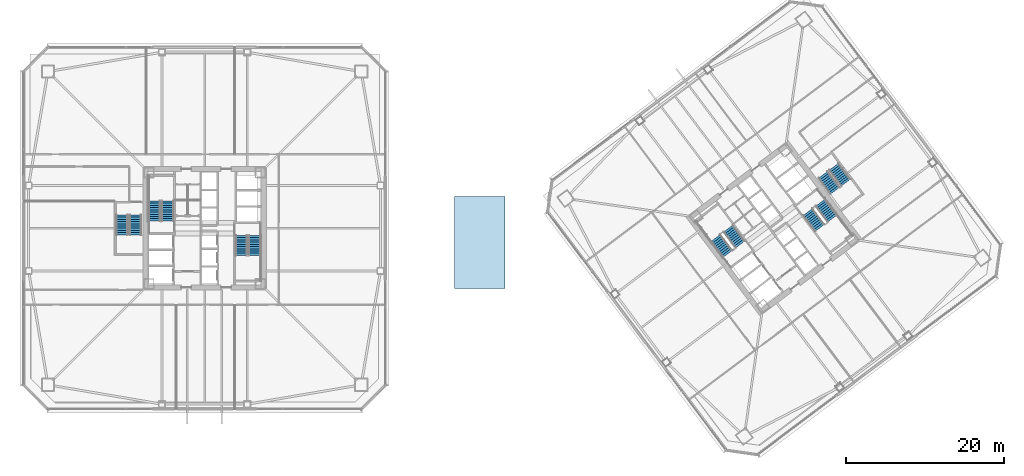
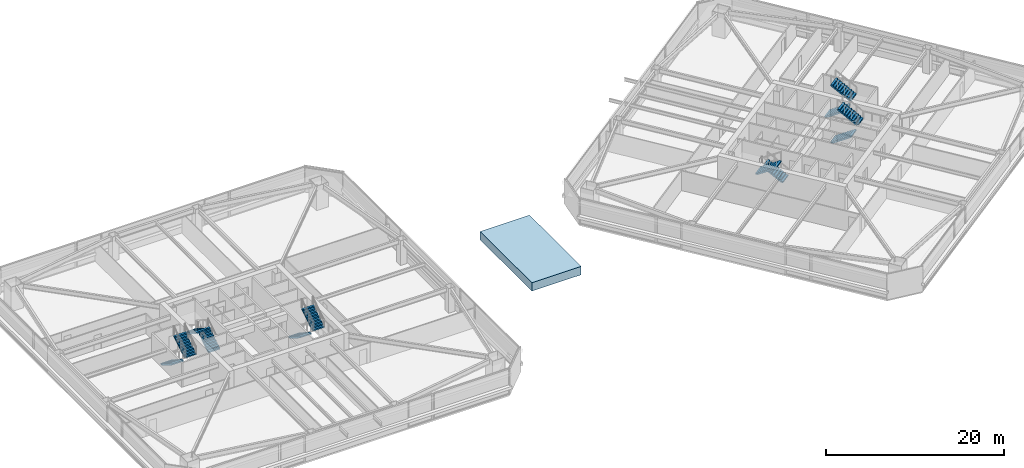
# One storey, part 38 of 46: 12 stair flights, 1 roof, 6 elements without a shape of their own.
"""IFC4 building model written with IfcOpenShell, lengths in metres."""

from ifc_helpers import new_model, si_unit, direction, frame, origin, place, context, subcontext, project, spatial, polyline, outline, extrude, material, layer, layer_set, type_object, element, aggregate, save


model = new_model("IFC4")

# Units and contexts
model_context = context("Model", 3, precision=1e-05, world=origin(), true_north=direction((0.0, 1.0)))
body_context = subcontext(model_context, "Body", "Model", "MODEL_VIEW")
ifc_project = project(units=[si_unit("LENGTHUNIT", "METRE"), si_unit("AREAUNIT", "SQUARE_METRE"), si_unit("VOLUMEUNIT", "CUBIC_METRE"), si_unit("PLANEANGLEUNIT", "RADIAN"), si_unit("MASSUNIT", "GRAM", prefix="KILO")], contexts=[model_context])

# Site, building, storey
site_placement = place(None, origin())
site = spatial("IfcSite", under=ifc_project, at=site_placement, CompositionType="ELEMENT")
building_placement = place(site_placement, origin())
building = spatial("IfcBuilding", under=site, at=building_placement, Name="Tashvorn Skyway Center", CompositionType="ELEMENT")
storey_placement = place(building_placement, frame((0.0, 0.0, 31.699951171875)))
storey = spatial("IfcBuildingStorey", under=building, at=storey_placement, Name="L07", CompositionType="ELEMENT", Elevation=31.699951171875)

# Stair, stair flights
ifc_material_1 = material(Name="Concrete C40/50", Category="concrete")
stair_type = type_object("IfcStairType", Name="STAIR-CORE-1500", PredefinedType="HALF_TURN_STAIR", material=ifc_material_1)
stair_1_placement = place(storey_placement, origin())
stair_1 = element("IfcStair", 1, at=stair_1_placement, inside=storey, type_object=stair_type, Name="L07 Tower 1 Exit Stair 1", PredefinedType="HALF_TURN_STAIR")
stair_flight_type = type_object("IfcStairFlightType", Name="SFLIGHT-1500", PredefinedType="STRAIGHT", material=ifc_material_1)
stair_flight_1_placement = place(storey_placement, frame((37.35009765625, 32.919921875, 0.0), z_axis=(0.0, 0.0, 1.0), x_axis=(0.0, 1.0, 0.0)))
stair_flight_1 = element("IfcStairFlight", 2, at=stair_flight_1_placement, type_object=stair_flight_type, Name="ST-T1-1 flight 1", NumberOfRisers=10, NumberOfTreads=9, PredefinedType="STRAIGHT", RiserHeight=0.1775, TreadLength=0.28, context=body_context, shape_type="SweptSolid", body=[
    extrude(outline(polyline([(0.0, 0.0), (0.0, 0.177490234375), (0.280029296875, 0.177490234375), (0.280029296875, 0.35498046875), (0.56005859375, 0.35498046875), (0.56005859375, 0.532470703125), (0.840087890625, 0.532470703125), (0.840087890625, 0.7099609375), (1.1201171875, 0.7099609375), (1.1201171875, 0.887451171875), (1.39990234375, 0.887451171875), (1.39990234375, 1.06494140625), (1.679931640625, 1.06494140625), (1.679931640625, 1.242431640625), (1.9599609375, 1.242431640625), (1.9599609375, 1.419921875), (2.239990234375, 1.419921875), (2.239990234375, 1.597412109375), (2.52001953125, 1.597412109375), (2.52001953125, 1.77490234375), (2.52001953125, 1.419921875), (0.280029296875, 0.0), (0.0, 0.0)])), frame((0.0, 0.75, 0.0), z_axis=(0.0, -1.0, 0.0), x_axis=(1.0, 0.0, 0.0)), (0.0, 0.0, 1.0), 1.5),
])
stair_flight_2_placement = place(storey_placement, frame((35.64990234375, 35.43994140625, 1.775146484375), z_axis=(0.0, 0.0, 1.0), x_axis=(0.0, -1.0, 0.0)))
stair_flight_2 = element("IfcStairFlight", 3, at=stair_flight_2_placement, type_object=stair_flight_type, Name="ST-T1-1 flight 2", NumberOfRisers=10, NumberOfTreads=9, PredefinedType="STRAIGHT", RiserHeight=0.1775, TreadLength=0.28, context=body_context, shape_type="SweptSolid", body=[
    extrude(outline(polyline([(0.0, 0.0), (0.0, 0.177490234375), (0.280029296875, 0.177490234375), (0.280029296875, 0.35498046875), (0.56005859375, 0.35498046875), (0.56005859375, 0.532470703125), (0.840087890625, 0.532470703125), (0.840087890625, 0.7099609375), (1.1201171875, 0.7099609375), (1.1201171875, 0.887451171875), (1.39990234375, 0.887451171875), (1.39990234375, 1.06494140625), (1.679931640625, 1.06494140625), (1.679931640625, 1.242431640625), (1.9599609375, 1.242431640625), (1.9599609375, 1.419921875), (2.239990234375, 1.419921875), (2.239990234375, 1.597412109375), (2.52001953125, 1.597412109375), (2.52001953125, 1.77490234375), (2.52001953125, 1.419921875), (0.280029296875, 0.0), (0.0, 0.0)])), frame((0.0, 0.75, 0.0), z_axis=(0.0, -1.0, 0.0), x_axis=(1.0, 0.0, 0.0)), (0.0, 0.0, 1.0), 1.5),
])
aggregate(stair_1, [stair_flight_1, stair_flight_2])

stair_2_placement = place(storey_placement, origin())
stair_2 = element("IfcStair", 4, at=stair_2_placement, inside=storey, type_object=stair_type, Name="L07 Tower 1 Exit Stair 2", PredefinedType="HALF_TURN_STAIR")
stair_flight_3_placement = place(storey_placement, frame((46.64990234375, 31.080078125, 0.0), z_axis=(0.0, 0.0, 1.0), x_axis=(0.0, -1.0, 0.0)))
stair_flight_3 = element("IfcStairFlight", 5, at=stair_flight_3_placement, type_object=stair_flight_type, Name="ST-T1-2 flight 1", NumberOfRisers=10, NumberOfTreads=9, PredefinedType="STRAIGHT", RiserHeight=0.1775, TreadLength=0.28, context=body_context, shape_type="SweptSolid", body=[
    extrude(outline(polyline([(0.0, 0.0), (0.0, 0.177490234375), (0.280029296875, 0.177490234375), (0.280029296875, 0.35498046875), (0.56005859375, 0.35498046875), (0.56005859375, 0.532470703125), (0.840087890625, 0.532470703125), (0.840087890625, 0.7099609375), (1.1201171875, 0.7099609375), (1.1201171875, 0.887451171875), (1.39990234375, 0.887451171875), (1.39990234375, 1.06494140625), (1.679931640625, 1.06494140625), (1.679931640625, 1.242431640625), (1.9599609375, 1.242431640625), (1.9599609375, 1.419921875), (2.239990234375, 1.419921875), (2.239990234375, 1.597412109375), (2.52001953125, 1.597412109375), (2.52001953125, 1.77490234375), (2.52001953125, 1.419921875), (0.280029296875, 0.0), (0.0, 0.0)])), frame((0.0, 0.75, 0.0), z_axis=(0.0, -1.0, 0.0), x_axis=(1.0, 0.0, 0.0)), (0.0, 0.0, 1.0), 1.5),
])
stair_flight_4_placement = place(storey_placement, frame((48.35009765625, 28.56005859375, 1.775146484375), z_axis=(0.0, 0.0, 1.0), x_axis=(0.0, 1.0, 0.0)))
stair_flight_4 = element("IfcStairFlight", 6, at=stair_flight_4_placement, type_object=stair_flight_type, Name="ST-T1-2 flight 2", NumberOfRisers=10, NumberOfTreads=9, PredefinedType="STRAIGHT", RiserHeight=0.1775, TreadLength=0.28, context=body_context, shape_type="SweptSolid", body=[
    extrude(outline(polyline([(0.0, 0.0), (0.0, 0.177490234375), (0.280029296875, 0.177490234375), (0.280029296875, 0.35498046875), (0.56005859375, 0.35498046875), (0.56005859375, 0.532470703125), (0.840087890625, 0.532470703125), (0.840087890625, 0.7099609375), (1.1201171875, 0.7099609375), (1.1201171875, 0.887451171875), (1.39990234375, 0.887451171875), (1.39990234375, 1.06494140625), (1.679931640625, 1.06494140625), (1.679931640625, 1.242431640625), (1.9599609375, 1.242431640625), (1.9599609375, 1.419921875), (2.239990234375, 1.419921875), (2.239990234375, 1.597412109375), (2.52001953125, 1.597412109375), (2.52001953125, 1.77490234375), (2.52001953125, 1.419921875), (0.280029296875, 0.0), (0.0, 0.0)])), frame((0.0, 0.75, 0.0), z_axis=(0.0, -1.0, 0.0), x_axis=(1.0, 0.0, 0.0)), (0.0, 0.0, 1.0), 1.5),
])
aggregate(stair_2, [stair_flight_3, stair_flight_4])

stair_3_placement = place(storey_placement, origin())
stair_3 = element("IfcStair", 7, at=stair_3_placement, inside=storey, type_object=stair_type, Name="L07 Tower 2 Exit Stair 1", PredefinedType="HALF_TURN_STAIR")
stair_flight_5_placement = place(storey_placement, frame((109.72802734375, 29.946044921875, 0.0), z_axis=(0.0, 0.0, 1.0), x_axis=(-0.600000004945, 0.799999996291, 0.0)))
stair_flight_5 = element("IfcStairFlight", 8, at=stair_flight_5_placement, type_object=stair_flight_type, Name="ST-T2-1 flight 1", NumberOfRisers=10, NumberOfTreads=9, PredefinedType="STRAIGHT", RiserHeight=0.1775, TreadLength=0.28, context=body_context, shape_type="SweptSolid", body=[
    extrude(outline(polyline([(0.0, 0.0), (0.0, 0.177490234375), (0.280029296875, 0.177490234375), (0.280029296875, 0.35498046875), (0.56005859375, 0.35498046875), (0.56005859375, 0.532470703125), (0.840087890625, 0.532470703125), (0.840087890625, 0.7099609375), (1.1201171875, 0.7099609375), (1.1201171875, 0.887451171875), (1.39990234375, 0.887451171875), (1.39990234375, 1.06494140625), (1.679931640625, 1.06494140625), (1.679931640625, 1.242431640625), (1.9599609375, 1.242431640625), (1.9599609375, 1.419921875), (2.239990234375, 1.419921875), (2.239990234375, 1.597412109375), (2.52001953125, 1.597412109375), (2.52001953125, 1.77490234375), (2.52001953125, 1.419921875), (0.280029296875, 0.0), (0.0, 0.0)])), frame((0.0, 0.75, 0.0), z_axis=(0.0, -1.0, 0.0), x_axis=(1.0, 0.0, 0.0)), (0.0, 0.0, 1.0), 1.5),
])
stair_flight_6_placement = place(storey_placement, frame((106.632080078125, 30.77392578125, 1.775146484375), z_axis=(0.0, 0.0, 1.0), x_axis=(0.600000004945, -0.799999996291, 0.0)))
stair_flight_6 = element("IfcStairFlight", 9, at=stair_flight_6_placement, type_object=stair_flight_type, Name="ST-T2-1 flight 2", NumberOfRisers=10, NumberOfTreads=9, PredefinedType="STRAIGHT", RiserHeight=0.1775, TreadLength=0.28, context=body_context, shape_type="SweptSolid", body=[
    extrude(outline(polyline([(0.0, 0.0), (0.0, 0.177490234375), (0.280029296875, 0.177490234375), (0.280029296875, 0.35498046875), (0.56005859375, 0.35498046875), (0.56005859375, 0.532470703125), (0.840087890625, 0.532470703125), (0.840087890625, 0.7099609375), (1.1201171875, 0.7099609375), (1.1201171875, 0.887451171875), (1.39990234375, 0.887451171875), (1.39990234375, 1.06494140625), (1.679931640625, 1.06494140625), (1.679931640625, 1.242431640625), (1.9599609375, 1.242431640625), (1.9599609375, 1.419921875), (2.239990234375, 1.419921875), (2.239990234375, 1.597412109375), (2.52001953125, 1.597412109375), (2.52001953125, 1.77490234375), (2.52001953125, 1.419921875), (0.280029296875, 0.0), (0.0, 0.0)])), frame((0.0, 0.75, 0.0), z_axis=(0.0, -1.0, 0.0), x_axis=(1.0, 0.0, 0.0)), (0.0, 0.0, 1.0), 1.5),
])
aggregate(stair_3, [stair_flight_5, stair_flight_6])

stair_4_placement = place(storey_placement, origin())
stair_4 = element("IfcStair", 10, at=stair_4_placement, inside=storey, type_object=stair_type, Name="L07 Tower 2 Exit Stair 2", PredefinedType="HALF_TURN_STAIR")
stair_flight_7_placement = place(storey_placement, frame((118.27197265625, 34.053955078125, 0.0), z_axis=(0.0, 0.0, 1.0), x_axis=(0.600000004945, -0.799999996291, 0.0)))
stair_flight_7 = element("IfcStairFlight", 11, at=stair_flight_7_placement, type_object=stair_flight_type, Name="ST-T2-2 flight 1", NumberOfRisers=10, NumberOfTreads=9, PredefinedType="STRAIGHT", RiserHeight=0.1775, TreadLength=0.28, context=body_context, shape_type="SweptSolid", body=[
    extrude(outline(polyline([(0.0, 0.0), (0.0, 0.177490234375), (0.280029296875, 0.177490234375), (0.280029296875, 0.35498046875), (0.56005859375, 0.35498046875), (0.56005859375, 0.532470703125), (0.840087890625, 0.532470703125), (0.840087890625, 0.7099609375), (1.1201171875, 0.7099609375), (1.1201171875, 0.887451171875), (1.39990234375, 0.887451171875), (1.39990234375, 1.06494140625), (1.679931640625, 1.06494140625), (1.679931640625, 1.242431640625), (1.9599609375, 1.242431640625), (1.9599609375, 1.419921875), (2.239990234375, 1.419921875), (2.239990234375, 1.597412109375), (2.52001953125, 1.597412109375), (2.52001953125, 1.77490234375), (2.52001953125, 1.419921875), (0.280029296875, 0.0), (0.0, 0.0)])), frame((0.0, 0.75, 0.0), z_axis=(0.0, -1.0, 0.0), x_axis=(1.0, 0.0, 0.0)), (0.0, 0.0, 1.0), 1.5),
])
stair_flight_8_placement = place(storey_placement, frame((121.367919921875, 33.22607421875, 1.775146484375), z_axis=(0.0, 0.0, 1.0), x_axis=(-0.600000004945, 0.799999996291, 0.0)))
stair_flight_8 = element("IfcStairFlight", 12, at=stair_flight_8_placement, type_object=stair_flight_type, Name="ST-T2-2 flight 2", NumberOfRisers=10, NumberOfTreads=9, PredefinedType="STRAIGHT", RiserHeight=0.1775, TreadLength=0.28, context=body_context, shape_type="SweptSolid", body=[
    extrude(outline(polyline([(0.0, 0.0), (0.0, 0.177490234375), (0.280029296875, 0.177490234375), (0.280029296875, 0.35498046875), (0.56005859375, 0.35498046875), (0.56005859375, 0.532470703125), (0.840087890625, 0.532470703125), (0.840087890625, 0.7099609375), (1.1201171875, 0.7099609375), (1.1201171875, 0.887451171875), (1.39990234375, 0.887451171875), (1.39990234375, 1.06494140625), (1.679931640625, 1.06494140625), (1.679931640625, 1.242431640625), (1.9599609375, 1.242431640625), (1.9599609375, 1.419921875), (2.239990234375, 1.419921875), (2.239990234375, 1.597412109375), (2.52001953125, 1.597412109375), (2.52001953125, 1.77490234375), (2.52001953125, 1.419921875), (0.280029296875, 0.0), (0.0, 0.0)])), frame((0.0, 0.75, 0.0), z_axis=(0.0, -1.0, 0.0), x_axis=(1.0, 0.0, 0.0)), (0.0, 0.0, 1.0), 1.5),
])
aggregate(stair_4, [stair_flight_7, stair_flight_8])

stair_5_placement = place(storey_placement, origin())
stair_5 = element("IfcStair", 13, at=stair_5_placement, inside=storey, type_object=stair_type, Name="L07 Tower 1 Exit Stair 3", PredefinedType="HALF_TURN_STAIR")
stair_flight_9_placement = place(storey_placement, frame((31.550048828125, 33.679931640625, 0.0), z_axis=(0.0, 0.0, 1.0), x_axis=(0.0, -1.0, 0.0)))
stair_flight_9 = element("IfcStairFlight", 14, at=stair_flight_9_placement, type_object=stair_flight_type, Name="ST-T1-3 flight 1", NumberOfRisers=10, NumberOfTreads=9, PredefinedType="STRAIGHT", RiserHeight=0.1775, TreadLength=0.28, context=body_context, shape_type="SweptSolid", body=[
    extrude(outline(polyline([(0.0, 0.0), (0.0, 0.177490234375), (0.280029296875, 0.177490234375), (0.280029296875, 0.35498046875), (0.56005859375, 0.35498046875), (0.56005859375, 0.532470703125), (0.840087890625, 0.532470703125), (0.840087890625, 0.7099609375), (1.1201171875, 0.7099609375), (1.1201171875, 0.887451171875), (1.39990234375, 0.887451171875), (1.39990234375, 1.06494140625), (1.679931640625, 1.06494140625), (1.679931640625, 1.242431640625), (1.9599609375, 1.242431640625), (1.9599609375, 1.419921875), (2.239990234375, 1.419921875), (2.239990234375, 1.597412109375), (2.52001953125, 1.597412109375), (2.52001953125, 1.77490234375), (2.52001953125, 1.419921875), (0.280029296875, 0.0), (0.0, 0.0)])), frame((0.0, 0.75, 0.0), z_axis=(0.0, -1.0, 0.0), x_axis=(1.0, 0.0, 0.0)), (0.0, 0.0, 1.0), 1.5),
])
stair_flight_10_placement = place(storey_placement, frame((33.25, 31.159912109375, 1.775146484375), z_axis=(0.0, 0.0, 1.0), x_axis=(0.0, 1.0, 0.0)))
stair_flight_10 = element("IfcStairFlight", 15, at=stair_flight_10_placement, type_object=stair_flight_type, Name="ST-T1-3 flight 2", NumberOfRisers=10, NumberOfTreads=9, PredefinedType="STRAIGHT", RiserHeight=0.1775, TreadLength=0.28, context=body_context, shape_type="SweptSolid", body=[
    extrude(outline(polyline([(0.0, 0.0), (0.0, 0.177490234375), (0.280029296875, 0.177490234375), (0.280029296875, 0.35498046875), (0.56005859375, 0.35498046875), (0.56005859375, 0.532470703125), (0.840087890625, 0.532470703125), (0.840087890625, 0.7099609375), (1.1201171875, 0.7099609375), (1.1201171875, 0.887451171875), (1.39990234375, 0.887451171875), (1.39990234375, 1.06494140625), (1.679931640625, 1.06494140625), (1.679931640625, 1.242431640625), (1.9599609375, 1.242431640625), (1.9599609375, 1.419921875), (2.239990234375, 1.419921875), (2.239990234375, 1.597412109375), (2.52001953125, 1.597412109375), (2.52001953125, 1.77490234375), (2.52001953125, 1.419921875), (0.280029296875, 0.0), (0.0, 0.0)])), frame((0.0, 0.75, 0.0), z_axis=(0.0, -1.0, 0.0), x_axis=(1.0, 0.0, 0.0)), (0.0, 0.0, 1.0), 1.5),
])
aggregate(stair_5, [stair_flight_9, stair_flight_10])

stair_6_placement = place(storey_placement, origin())
stair_6 = element("IfcStair", 16, at=stair_6_placement, inside=storey, type_object=stair_type, Name="L07 Tower 2 Exit Stair 3", PredefinedType="HALF_TURN_STAIR")
stair_flight_11_placement = place(storey_placement, frame((120.216064453125, 38.761962890625, 0.0), z_axis=(0.0, 0.0, 1.0), x_axis=(0.600000004945, -0.799999996291, 0.0)))
stair_flight_11 = element("IfcStairFlight", 17, at=stair_flight_11_placement, type_object=stair_flight_type, Name="ST-T2-3 flight 1", NumberOfRisers=10, NumberOfTreads=9, PredefinedType="STRAIGHT", RiserHeight=0.1775, TreadLength=0.28, context=body_context, shape_type="SweptSolid", body=[
    extrude(outline(polyline([(0.0, 0.0), (0.0, 0.177490234375), (0.280029296875, 0.177490234375), (0.280029296875, 0.35498046875), (0.56005859375, 0.35498046875), (0.56005859375, 0.532470703125), (0.840087890625, 0.532470703125), (0.840087890625, 0.7099609375), (1.1201171875, 0.7099609375), (1.1201171875, 0.887451171875), (1.39990234375, 0.887451171875), (1.39990234375, 1.06494140625), (1.679931640625, 1.06494140625), (1.679931640625, 1.242431640625), (1.9599609375, 1.242431640625), (1.9599609375, 1.419921875), (2.239990234375, 1.419921875), (2.239990234375, 1.597412109375), (2.52001953125, 1.597412109375), (2.52001953125, 1.77490234375), (2.52001953125, 1.419921875), (0.280029296875, 0.0), (0.0, 0.0)])), frame((0.0, 0.75, 0.0), z_axis=(0.0, -1.0, 0.0), x_axis=(1.0, 0.0, 0.0)), (0.0, 0.0, 1.0), 1.5),
])
stair_flight_12_placement = place(storey_placement, frame((123.087890625, 37.76611328125, 1.775146484375), z_axis=(0.0, 0.0, 1.0), x_axis=(-0.600000004945, 0.799999996291, 0.0)))
stair_flight_12 = element("IfcStairFlight", 18, at=stair_flight_12_placement, type_object=stair_flight_type, Name="ST-T2-3 flight 2", NumberOfRisers=10, NumberOfTreads=9, PredefinedType="STRAIGHT", RiserHeight=0.1775, TreadLength=0.28, context=body_context, shape_type="SweptSolid", body=[
    extrude(outline(polyline([(0.0, 0.0), (0.0, 0.177490234375), (0.280029296875, 0.177490234375), (0.280029296875, 0.35498046875), (0.56005859375, 0.35498046875), (0.56005859375, 0.532470703125), (0.840087890625, 0.532470703125), (0.840087890625, 0.7099609375), (1.1201171875, 0.7099609375), (1.1201171875, 0.887451171875), (1.39990234375, 0.887451171875), (1.39990234375, 1.06494140625), (1.679931640625, 1.06494140625), (1.679931640625, 1.242431640625), (1.9599609375, 1.242431640625), (1.9599609375, 1.419921875), (2.239990234375, 1.419921875), (2.239990234375, 1.597412109375), (2.52001953125, 1.597412109375), (2.52001953125, 1.77490234375), (2.52001953125, 1.419921875), (0.280029296875, 0.0), (0.0, 0.0)])), frame((0.0, 0.75, 0.0), z_axis=(0.0, -1.0, 0.0), x_axis=(1.0, 0.0, 0.0)), (0.0, 0.0, 1.0), 1.5),
])
aggregate(stair_6, [stair_flight_11, stair_flight_12])

# Roof
ifc_material_2 = material(Name="Architectural glazed Mojave terracotta roof and cornice system", Category="masonry")
ifc_layer = layer(ifc_material_2, 0.419921875)
ifc_layer_set = layer_set([ifc_layer], Name="Architectural glazed Mojave terracotta roof and cornice system")
roof_type = type_object("IfcRoofType", Name="ROOF-STN-VAULT", PredefinedType="BARREL_ROOF", material=ifc_layer_set)
roof_placement = place(storey_placement, frame((0.0, 0.0, 0.699951171875)))
element("IfcRoof", 19, at=roof_placement, inside=storey, type_object=roof_type, Name="Rail Station Concourse Vault Crest Tier 3", PredefinedType="BARREL_ROOF", context=body_context, shape_type="SweptSolid", body=[
    extrude(outline(polyline([(73.60009765625, 24.39990234375), (80.0, 24.39990234375), (80.0, 36.0), (73.60009765625, 36.0), (73.60009765625, 24.39990234375)])), origin(), (0.0, 0.0, 1.0), 1.150146484375),
])

save(model, "model.ifc")
